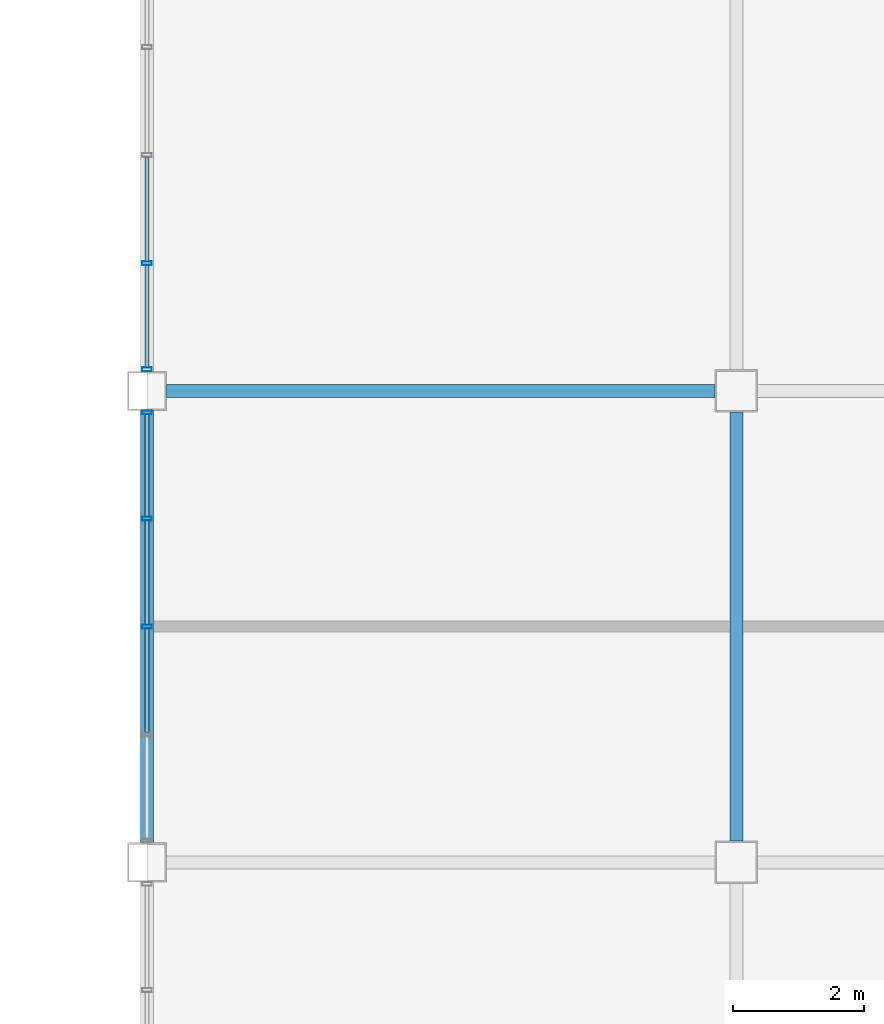
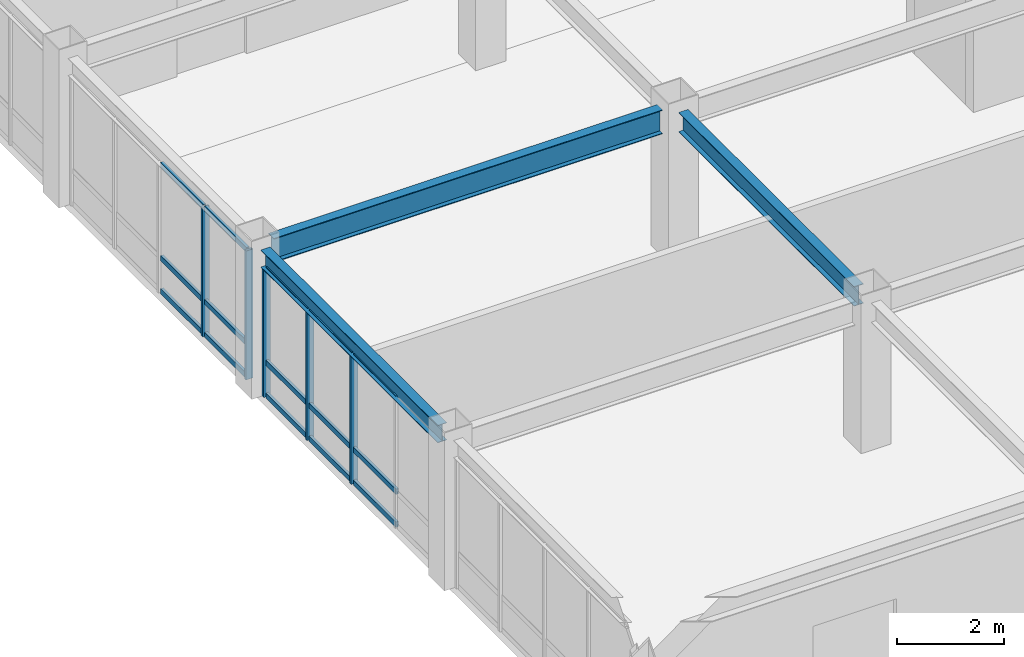
# One storey, part 15 of 34: 20 members, 3 beams, 2 elements without a shape of their own.
"""IFC4 building model written with IfcOpenShell, lengths in metres."""

from ifc_helpers import new_model, si_unit, direction, frame, origin, origin_2d, place, context, subcontext, project, spatial, hollow_rectangle, i_section, extrude, material, material_profile, profile_set, type_object, element, aggregate, save


model = new_model("IFC4")

# Units and contexts
model_context = context("Model", 3, precision=1e-05, world=origin(), true_north=direction((0.0, 1.0)))
body_context = subcontext(model_context, "Body", "Model", "MODEL_VIEW")
ifc_project = project(units=[si_unit("LENGTHUNIT", "METRE"), si_unit("AREAUNIT", "SQUARE_METRE"), si_unit("VOLUMEUNIT", "CUBIC_METRE"), si_unit("PLANEANGLEUNIT", "RADIAN"), si_unit("MASSUNIT", "GRAM", prefix="KILO")], contexts=[model_context])

# Site, building, storey
site_placement = place(None, origin())
site = spatial("IfcSite", under=ifc_project, at=site_placement, CompositionType="ELEMENT")
building_placement = place(site_placement, origin())
building = spatial("IfcBuilding", under=site, at=building_placement, Name="Kazanami Central Library", CompositionType="ELEMENT")
storey_placement = place(building_placement, frame((0.0, 0.0, 17.0)))
storey = spatial("IfcBuildingStorey", under=building, at=storey_placement, Name="L05", CompositionType="ELEMENT", Elevation=17.0)

# Beams
ifc_material_1 = material(Name="Steel SN490B (325 MPa)", Category="steel")
ifc_material_profile_1 = material_profile(ifc_material_1, i_section(OverallWidth=0.199951171875, OverallDepth=0.550048828125, WebThickness=0.010009765625, FlangeThickness=0.01611328125, at=origin_2d()), Name="H-550x200x10x16")
ifc_profile_set_1 = profile_set([ifc_material_profile_1], Name="Steel SN490B (325 MPa)")
beam_type_1 = type_object("IfcBeamType", Name="BM-G-X3", PredefinedType="BEAM", material=ifc_profile_set_1)
beam_1_placement = place(storey_placement, frame((117.298095703125, 64.800048828125, 3.06494140625), z_axis=(1.0, 0.0, 0.0), x_axis=(0.0, 1.0, 0.0)))
element("IfcBeam", 1, at=beam_1_placement, inside=storey, type_object=beam_type_1, Name="Girder G-X3 L05 K/14-15", PredefinedType="BEAM", context=body_context, shape_type="SweptSolid", body=[
    extrude(i_section(OverallWidth=0.199951171875, OverallDepth=0.550048828125, WebThickness=0.010009765625, FlangeThickness=0.01611328125, at=origin_2d()), origin(), (0.0, 0.0, 1.0), 8.37890625),
])
ifc_material_profile_2 = material_profile(ifc_material_1, i_section(OverallWidth=0.199951171875, OverallDepth=0.449951171875, WebThickness=0.009033203125, FlangeThickness=0.013916015625, at=origin_2d()), Name="H-450x200x9x14")
ifc_profile_set_2 = profile_set([ifc_material_profile_2], Name="Steel SN490B (325 MPa)")
beam_type_2 = type_object("IfcBeamType", Name="BM-G-Y3", PredefinedType="BEAM", material=ifc_profile_set_2)
beam_2_placement = place(storey_placement, frame((126.0, 57.923095703125, 3.114990234375), z_axis=(0.0, 1.0, 0.0), x_axis=(-1.0, 0.0, 0.0)))
element("IfcBeam", 2, at=beam_2_placement, inside=storey, type_object=beam_type_2, Name="Girder G-Y3 L05 15/J-K", PredefinedType="BEAM", context=body_context, shape_type="SweptSolid", body=[
    extrude(i_section(OverallWidth=0.199951171875, OverallDepth=0.449951171875, WebThickness=0.009033203125, FlangeThickness=0.013916015625, at=origin_2d()), origin(), (0.0, 0.0, 1.0), 6.553955078125),
])
ifc_material_profile_3 = material_profile(ifc_material_1, i_section(OverallWidth=0.199951171875, OverallDepth=0.39990234375, WebThickness=0.008056640625, FlangeThickness=0.012939453125, at=origin_2d()), Name="H-400x200x8x13")
ifc_profile_set_3 = profile_set([ifc_material_profile_3], Name="Steel SN490B (325 MPa)")
beam_type_3 = type_object("IfcBeamType", Name="BM-SP-3", PredefinedType="SPANDREL", material=ifc_profile_set_3)
beam_3_placement = place(storey_placement, frame((117.0, 57.89794921875, 3.139892578125), z_axis=(0.0, 1.0, 0.0), x_axis=(-1.0, 0.0, 0.0)))
element("IfcBeam", 3, at=beam_3_placement, inside=storey, type_object=beam_type_3, Name="Girder SP-3 L05 14/J-K", PredefinedType="SPANDREL", context=body_context, shape_type="SweptSolid", body=[
    extrude(i_section(OverallWidth=0.199951171875, OverallDepth=0.39990234375, WebThickness=0.008056640625, FlangeThickness=0.012939453125, at=origin_2d()), origin(), (0.0, 0.0, 1.0), 6.60400390625),
])

# Curtain wall, members
ifc_material_2 = material(Name="Acid-Etched Low-E Laminated Glass", Category="glass")
curtain_wall_type = type_object("IfcCurtainWallType", Name="CW-6600x2940-M180", PredefinedType="USERDEFINED", material=ifc_material_2)
curtain_wall_1_placement = place(storey_placement, origin())
curtain_wall_1 = element("IfcCurtainWall", 4, at=curtain_wall_1_placement, inside=storey, type_object=curtain_wall_type, Name="Covered Link Bridge Curtain Wall CW-54 L05 W-14-08", ObjectType="UNITISED CURTAIN WALL", PredefinedType="USERDEFINED")
ifc_material_3 = material(Name="Anodised Aluminium A6063-T5", Category="aluminium")
ifc_material_profile_4 = material_profile(ifc_material_3, hollow_rectangle(XDim=0.06005859375, YDim=0.14990234375, WallThickness=0.00390625, at=origin_2d()), Name="ALU-MULL-60x150x4")
ifc_profile_set_4 = profile_set([ifc_material_profile_4], Name="Anodised Aluminium A6063-T5")
member_type_1 = type_object("IfcMemberType", Name="MEM-CW-M3", PredefinedType="MULLION", material=ifc_profile_set_4)
member_1_placement = place(storey_placement, frame((117.0, 61.199951171875, 0.0), z_axis=(0.0, 0.0, 1.0), x_axis=(0.0, 1.0, 0.0)))
member_1 = element("IfcMember", 5, at=member_1_placement, type_object=member_type_1, Name="CW-54 mullion 3", PredefinedType="MULLION", context=body_context, shape_type="SweptSolid", body=[
    extrude(hollow_rectangle(XDim=0.06005859375, YDim=0.14990234375, WallThickness=0.00390625, at=origin_2d()), origin(), (0.0, 0.0, 1.0), 2.93994140625),
])
member_2_placement = place(storey_placement, frame((117.0, 62.85009765625, 0.0), z_axis=(0.0, 0.0, 1.0), x_axis=(0.0, 1.0, 0.0)))
member_2 = element("IfcMember", 6, at=member_2_placement, type_object=member_type_1, Name="CW-54 mullion 4", PredefinedType="MULLION", context=body_context, shape_type="SweptSolid", body=[
    extrude(hollow_rectangle(XDim=0.06005859375, YDim=0.14990234375, WallThickness=0.00390625, at=origin_2d()), origin(), (0.0, 0.0, 1.0), 2.93994140625),
])
member_3_placement = place(storey_placement, frame((117.0, 64.469970703125, 0.0), z_axis=(0.0, 0.0, 1.0), x_axis=(0.0, 1.0, 0.0)))
member_3 = element("IfcMember", 7, at=member_3_placement, type_object=member_type_1, Name="CW-54 mullion 5", PredefinedType="MULLION", context=body_context, shape_type="SweptSolid", body=[
    extrude(hollow_rectangle(XDim=0.06005859375, YDim=0.14990234375, WallThickness=0.00390625, at=origin_2d()), origin(), (0.0, 0.0, 1.0), 2.93994140625),
])

curtain_wall_2_placement = place(storey_placement, origin())
curtain_wall_2 = element("IfcCurtainWall", 8, at=curtain_wall_2_placement, inside=storey, type_object=curtain_wall_type, Name="Covered Link Bridge Curtain Wall CW-54 L05 W-14-09", ObjectType="UNITISED CURTAIN WALL", PredefinedType="USERDEFINED")
member_4_placement = place(storey_placement, frame((117.0, 65.1298828125, 0.0), z_axis=(0.0, 0.0, 1.0), x_axis=(0.0, 1.0, 0.0)))
member_4 = element("IfcMember", 9, at=member_4_placement, type_object=member_type_1, Name="CW-54 mullion 1", PredefinedType="MULLION", context=body_context, shape_type="SweptSolid", body=[
    extrude(hollow_rectangle(XDim=0.06005859375, YDim=0.14990234375, WallThickness=0.00390625, at=origin_2d()), origin(), (0.0, 0.0, 1.0), 2.93994140625),
])
member_5_placement = place(storey_placement, frame((117.0, 66.75, 0.0), z_axis=(0.0, 0.0, 1.0), x_axis=(0.0, 1.0, 0.0)))
member_5 = element("IfcMember", 10, at=member_5_placement, type_object=member_type_1, Name="CW-54 mullion 2", PredefinedType="MULLION", context=body_context, shape_type="SweptSolid", body=[
    extrude(hollow_rectangle(XDim=0.06005859375, YDim=0.14990234375, WallThickness=0.00390625, at=origin_2d()), origin(), (0.0, 0.0, 1.0), 2.93994140625),
])

# Member
ifc_material_profile_5 = material_profile(ifc_material_3, hollow_rectangle(XDim=0.06005859375, YDim=0.1201171875, WallThickness=0.00341796875, at=origin_2d()), Name="ALU-TRAN-60x120x3.5")
ifc_profile_set_5 = profile_set([ifc_material_profile_5], Name="Anodised Aluminium A6063-T5")
member_type_2 = type_object("IfcMemberType", Name="MEM-CW-T3", PredefinedType="USERDEFINED", material=ifc_profile_set_5)
member_6_placement = place(storey_placement, frame((117.0, 59.580078125, 0.030029296875), z_axis=(0.0, 1.0, 0.0), x_axis=(-1.0, 0.0, 0.0)))
member_6 = element("IfcMember", 11, at=member_6_placement, type_object=member_type_2, Name="CW-54 transom 2.1", ObjectType="TRANSOM", PredefinedType="USERDEFINED", context=body_context, shape_type="SweptSolid", body=[
    extrude(hollow_rectangle(XDim=0.06005859375, YDim=0.1201171875, WallThickness=0.00341796875, at=origin_2d()), origin(), (0.0, 0.0, 1.0), 1.58984375),
])

member_7_placement = place(storey_placement, frame((117.0, 59.580078125, 0.780029296875), z_axis=(0.0, 1.0, 0.0), x_axis=(-1.0, 0.0, 0.0)))
member_7 = element("IfcMember", 12, at=member_7_placement, type_object=member_type_2, Name="CW-54 transom 2.2", ObjectType="TRANSOM", PredefinedType="USERDEFINED", context=body_context, shape_type="SweptSolid", body=[
    extrude(hollow_rectangle(XDim=0.06005859375, YDim=0.1201171875, WallThickness=0.00341796875, at=origin_2d()), origin(), (0.0, 0.0, 1.0), 1.58984375),
])

member_8_placement = place(storey_placement, frame((117.0, 59.580078125, 2.909912109375), z_axis=(0.0, 1.0, 0.0), x_axis=(-1.0, 0.0, 0.0)))
member_8 = element("IfcMember", 13, at=member_8_placement, type_object=member_type_2, Name="CW-54 transom 2.3", ObjectType="TRANSOM", PredefinedType="USERDEFINED", context=body_context, shape_type="SweptSolid", body=[
    extrude(hollow_rectangle(XDim=0.06005859375, YDim=0.1201171875, WallThickness=0.00341796875, at=origin_2d()), origin(), (0.0, 0.0, 1.0), 1.58984375),
])

member_9_placement = place(storey_placement, frame((117.0, 61.22998046875, 0.030029296875), z_axis=(0.0, 1.0, 0.0), x_axis=(-1.0, 0.0, 0.0)))
member_9 = element("IfcMember", 14, at=member_9_placement, type_object=member_type_2, Name="CW-54 transom 3.1", ObjectType="TRANSOM", PredefinedType="USERDEFINED", context=body_context, shape_type="SweptSolid", body=[
    extrude(hollow_rectangle(XDim=0.06005859375, YDim=0.1201171875, WallThickness=0.00341796875, at=origin_2d()), origin(), (0.0, 0.0, 1.0), 1.590087890625),
])

member_10_placement = place(storey_placement, frame((117.0, 61.22998046875, 0.780029296875), z_axis=(0.0, 1.0, 0.0), x_axis=(-1.0, 0.0, 0.0)))
member_10 = element("IfcMember", 15, at=member_10_placement, type_object=member_type_2, Name="CW-54 transom 3.2", ObjectType="TRANSOM", PredefinedType="USERDEFINED", context=body_context, shape_type="SweptSolid", body=[
    extrude(hollow_rectangle(XDim=0.06005859375, YDim=0.1201171875, WallThickness=0.00341796875, at=origin_2d()), origin(), (0.0, 0.0, 1.0), 1.590087890625),
])

member_11_placement = place(storey_placement, frame((117.0, 61.22998046875, 2.909912109375), z_axis=(0.0, 1.0, 0.0), x_axis=(-1.0, 0.0, 0.0)))
member_11 = element("IfcMember", 16, at=member_11_placement, type_object=member_type_2, Name="CW-54 transom 3.3", ObjectType="TRANSOM", PredefinedType="USERDEFINED", context=body_context, shape_type="SweptSolid", body=[
    extrude(hollow_rectangle(XDim=0.06005859375, YDim=0.1201171875, WallThickness=0.00341796875, at=origin_2d()), origin(), (0.0, 0.0, 1.0), 1.590087890625),
])

member_12_placement = place(storey_placement, frame((117.0, 62.8798828125, 0.030029296875), z_axis=(0.0, 1.0, 0.0), x_axis=(-1.0, 0.0, 0.0)))
member_12 = element("IfcMember", 17, at=member_12_placement, type_object=member_type_2, Name="CW-54 transom 4.1", ObjectType="TRANSOM", PredefinedType="USERDEFINED", context=body_context, shape_type="SweptSolid", body=[
    extrude(hollow_rectangle(XDim=0.06005859375, YDim=0.1201171875, WallThickness=0.00341796875, at=origin_2d()), origin(), (0.0, 0.0, 1.0), 1.56005859375),
])

member_13_placement = place(storey_placement, frame((117.0, 62.8798828125, 0.780029296875), z_axis=(0.0, 1.0, 0.0), x_axis=(-1.0, 0.0, 0.0)))
member_13 = element("IfcMember", 18, at=member_13_placement, type_object=member_type_2, Name="CW-54 transom 4.2", ObjectType="TRANSOM", PredefinedType="USERDEFINED", context=body_context, shape_type="SweptSolid", body=[
    extrude(hollow_rectangle(XDim=0.06005859375, YDim=0.1201171875, WallThickness=0.00341796875, at=origin_2d()), origin(), (0.0, 0.0, 1.0), 1.56005859375),
])

member_14_placement = place(storey_placement, frame((117.0, 62.8798828125, 2.909912109375), z_axis=(0.0, 1.0, 0.0), x_axis=(-1.0, 0.0, 0.0)))
member_14 = element("IfcMember", 19, at=member_14_placement, type_object=member_type_2, Name="CW-54 transom 4.3", ObjectType="TRANSOM", PredefinedType="USERDEFINED", context=body_context, shape_type="SweptSolid", body=[
    extrude(hollow_rectangle(XDim=0.06005859375, YDim=0.1201171875, WallThickness=0.00341796875, at=origin_2d()), origin(), (0.0, 0.0, 1.0), 1.56005859375),
])

aggregate(curtain_wall_1, [member_1, member_2, member_3, member_6, member_7, member_8, member_9, member_10, member_11, member_12, member_13, member_14])

member_15_placement = place(storey_placement, frame((117.0, 65.159912109375, 0.030029296875), z_axis=(0.0, 1.0, 0.0), x_axis=(-1.0, 0.0, 0.0)))
member_15 = element("IfcMember", 20, at=member_15_placement, type_object=member_type_2, Name="CW-54 transom 1.1", ObjectType="TRANSOM", PredefinedType="USERDEFINED", context=body_context, shape_type="SweptSolid", body=[
    extrude(hollow_rectangle(XDim=0.06005859375, YDim=0.1201171875, WallThickness=0.00341796875, at=origin_2d()), origin(), (0.0, 0.0, 1.0), 1.56005859375),
])

member_16_placement = place(storey_placement, frame((117.0, 65.159912109375, 0.780029296875), z_axis=(0.0, 1.0, 0.0), x_axis=(-1.0, 0.0, 0.0)))
member_16 = element("IfcMember", 21, at=member_16_placement, type_object=member_type_2, Name="CW-54 transom 1.2", ObjectType="TRANSOM", PredefinedType="USERDEFINED", context=body_context, shape_type="SweptSolid", body=[
    extrude(hollow_rectangle(XDim=0.06005859375, YDim=0.1201171875, WallThickness=0.00341796875, at=origin_2d()), origin(), (0.0, 0.0, 1.0), 1.56005859375),
])

member_17_placement = place(storey_placement, frame((117.0, 65.159912109375, 2.909912109375), z_axis=(0.0, 1.0, 0.0), x_axis=(-1.0, 0.0, 0.0)))
member_17 = element("IfcMember", 22, at=member_17_placement, type_object=member_type_2, Name="CW-54 transom 1.3", ObjectType="TRANSOM", PredefinedType="USERDEFINED", context=body_context, shape_type="SweptSolid", body=[
    extrude(hollow_rectangle(XDim=0.06005859375, YDim=0.1201171875, WallThickness=0.00341796875, at=origin_2d()), origin(), (0.0, 0.0, 1.0), 1.56005859375),
])

member_18_placement = place(storey_placement, frame((117.0, 66.780029296875, 0.030029296875), z_axis=(0.0, 1.0, 0.0), x_axis=(-1.0, 0.0, 0.0)))
member_18 = element("IfcMember", 23, at=member_18_placement, type_object=member_type_2, Name="CW-54 transom 2.1", ObjectType="TRANSOM", PredefinedType="USERDEFINED", context=body_context, shape_type="SweptSolid", body=[
    extrude(hollow_rectangle(XDim=0.06005859375, YDim=0.1201171875, WallThickness=0.00341796875, at=origin_2d()), origin(), (0.0, 0.0, 1.0), 1.590087890625),
])

member_19_placement = place(storey_placement, frame((117.0, 66.780029296875, 0.780029296875), z_axis=(0.0, 1.0, 0.0), x_axis=(-1.0, 0.0, 0.0)))
member_19 = element("IfcMember", 24, at=member_19_placement, type_object=member_type_2, Name="CW-54 transom 2.2", ObjectType="TRANSOM", PredefinedType="USERDEFINED", context=body_context, shape_type="SweptSolid", body=[
    extrude(hollow_rectangle(XDim=0.06005859375, YDim=0.1201171875, WallThickness=0.00341796875, at=origin_2d()), origin(), (0.0, 0.0, 1.0), 1.590087890625),
])

member_20_placement = place(storey_placement, frame((117.0, 66.780029296875, 2.909912109375), z_axis=(0.0, 1.0, 0.0), x_axis=(-1.0, 0.0, 0.0)))
member_20 = element("IfcMember", 25, at=member_20_placement, type_object=member_type_2, Name="CW-54 transom 2.3", ObjectType="TRANSOM", PredefinedType="USERDEFINED", context=body_context, shape_type="SweptSolid", body=[
    extrude(hollow_rectangle(XDim=0.06005859375, YDim=0.1201171875, WallThickness=0.00341796875, at=origin_2d()), origin(), (0.0, 0.0, 1.0), 1.590087890625),
])

aggregate(curtain_wall_2, [member_4, member_5, member_15, member_16, member_17, member_18, member_19, member_20])

save(model, "model.ifc")
